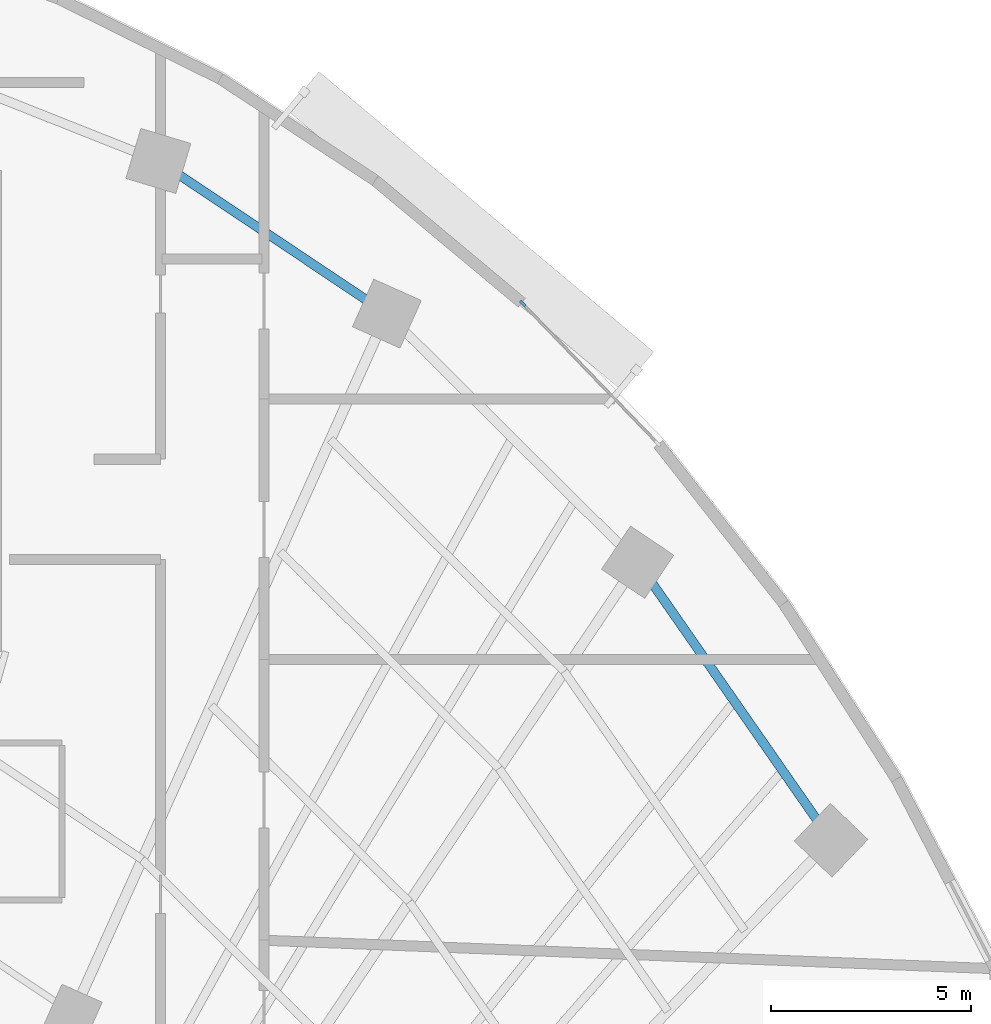
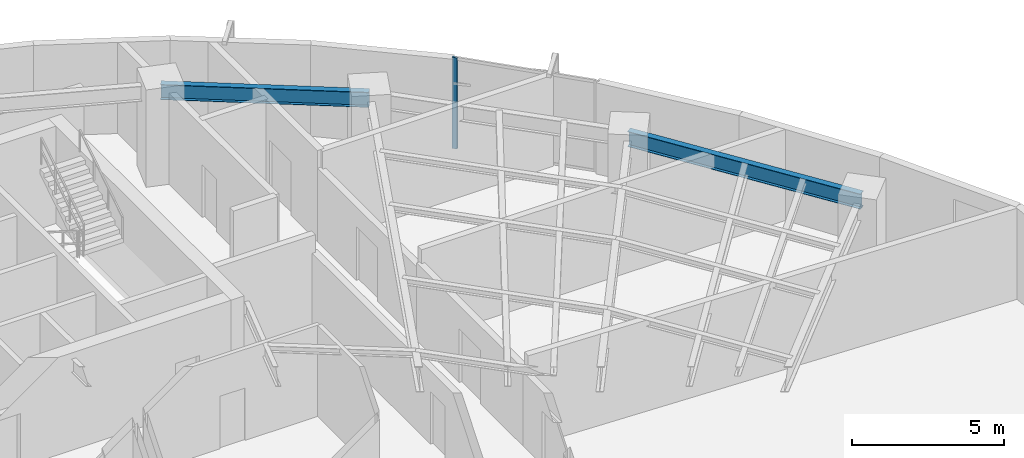
# One storey, part 6 of 13: 2 beams, 1 member, 1 element without a shape of its own.
"""IFC4 building model written with IfcOpenShell, lengths in metres."""

from ifc_helpers import new_model, si_unit, direction, frame, origin, origin_2d, place, context, subcontext, project, spatial, rectangle, i_section, extrude, source, transform, mapped, material, layer, layer_set, material_profile, profile_set, type_object, element, aggregate, save


model = new_model("IFC4")

# Units and contexts
model_context = context("Model", 3, precision=1e-05, world=origin(), true_north=direction((0.0, 1.0)))
body_context = subcontext(model_context, "Body", "Model", "MODEL_VIEW")
ifc_project = project(units=[si_unit("LENGTHUNIT", "METRE"), si_unit("AREAUNIT", "SQUARE_METRE"), si_unit("VOLUMEUNIT", "CUBIC_METRE"), si_unit("PLANEANGLEUNIT", "RADIAN"), si_unit("MASSUNIT", "GRAM", prefix="KILO")], contexts=[model_context])

# Site, building, storey
site_placement = place(None, origin())
site = spatial("IfcSite", under=ifc_project, at=site_placement, CompositionType="ELEMENT")
building_placement = place(site_placement, origin())
building = spatial("IfcBuilding", under=site, at=building_placement, Name="Breltana Convention Tower", CompositionType="ELEMENT")
storey_placement = place(building_placement, frame((0.0, 0.0, 127.199951171875)))
storey = spatial("IfcBuildingStorey", under=building, at=storey_placement, Name="L30", CompositionType="ELEMENT", Elevation=127.199951171875)

# Beams
ifc_material_1 = material(Name="Steel ASTM A992 Grade 50", Category="steel")
ifc_material_profile_1 = material_profile(ifc_material_1, i_section(OverallWidth=0.22802734375, OverallDepth=0.60791015625, WebThickness=0.01123046875, FlangeThickness=0.017333984375, at=origin_2d()), Name="W24X76")
ifc_profile_set_1 = profile_set([ifc_material_profile_1], Name="Steel ASTM A992 Grade 50")
beam_type = type_object("IfcBeamType", Name="BM-SP-W24X76", PredefinedType="SPANDREL", material=ifc_profile_set_1)
shared_shape_1 = source(origin(), body_context, "Body", "SweptSolid", [
    extrude(i_section(OverallWidth=0.22802734375, OverallDepth=0.60791015625, WebThickness=0.01123046875, FlangeThickness=0.017333984375, at=origin_2d()), origin(), (0.0, 0.0, 1.0), 6.856689453125),
])
beam_1_placement = place(storey_placement, frame((63.208984375, 72.4423828125, 3.345947265625), z_axis=(0.83150210718, -0.55552159792, 0.0), x_axis=(0.55552159792, 0.83150210718, 0.0)))
element("IfcBeam", 1, at=beam_1_placement, inside=storey, type_object=beam_type, Name="L30 Outer Spandrel Beam 08", PredefinedType="SPANDREL", context=body_context, shape_type="MappedRepresentation", body=[
    mapped(shared_shape_1, transform((0.0, 0.0, 0.0), scale=1.0)),
])
shared_shape_2 = source(origin(), body_context, "Body", "SweptSolid", [
    extrude(i_section(OverallWidth=0.22802734375, OverallDepth=0.60791015625, WebThickness=0.01123046875, FlangeThickness=0.017333984375, at=origin_2d()), origin(), (0.0, 0.0, 1.0), 8.44970703125),
])
beam_2_placement = place(storey_placement, frame((75.166748046875, 62.43017578125, 3.345947265625), z_axis=(0.5711855381, -0.820820979913, 0.0), x_axis=(0.820820979913, 0.5711855381, 0.0)))
element("IfcBeam", 2, at=beam_2_placement, inside=storey, type_object=beam_type, Name="L30 Outer Spandrel Beam 10", PredefinedType="SPANDREL", context=body_context, shape_type="MappedRepresentation", body=[
    mapped(shared_shape_2, transform((0.0, 0.0, 0.0), scale=1.0)),
])

# Curtain wall, member
ifc_material_2 = material(Name="Aluminium Anodised Bronze Frame", Category="aluminium")
ifc_layer = layer(ifc_material_2, 0.22998046875, Name="Aluminium Anodised Bronze Frame")
ifc_layer_set = layer_set([ifc_layer], Name="Aluminium Anodised Bronze Frame")
curtain_wall_type = type_object("IfcCurtainWallType", Name="CW-SYS-5", PredefinedType="NOTDEFINED", material=ifc_layer_set)
curtain_wall_placement = place(storey_placement, origin())
curtain_wall = element("IfcCurtainWall", 3, at=curtain_wall_placement, inside=storey, type_object=curtain_wall_type, Name="L30 outer double-skin inner glazing 4", PredefinedType="NOTDEFINED")
ifc_material_3 = material(Name="Aluminium Anodised Bronze", Category="aluminium")
ifc_material_profile_2 = material_profile(ifc_material_3, rectangle(XDim=0.070068359375, YDim=0.175048828125, at=origin_2d()), Name="CWM-70X175")
ifc_profile_set_2 = profile_set([ifc_material_profile_2], Name="Aluminium Anodised Bronze")
member_type = type_object("IfcMemberType", Name="CWM-175", PredefinedType="MULLION", material=ifc_profile_set_2)
shared_shape_3 = source(origin(), body_context, "Body", "SweptSolid", [
    extrude(rectangle(XDim=0.070068359375, YDim=0.175048828125, at=origin_2d()), origin(), (0.0, 0.0, 1.0), 3.650146484375),
])
member_placement = place(storey_placement, frame((72.299560546875, 68.88232421875, 0.0), z_axis=(0.0, 0.0, 1.0), x_axis=(0.719384961558, 0.694611601605, 0.0)))
member = element("IfcMember", 4, at=member_placement, type_object=member_type, Name="CW-05 mullion 1", PredefinedType="MULLION", context=body_context, shape_type="MappedRepresentation", body=[
    mapped(shared_shape_3, transform((0.0, 0.0, 0.0), scale=1.0)),
])
aggregate(curtain_wall, [member])

save(model, "model.ifc")
